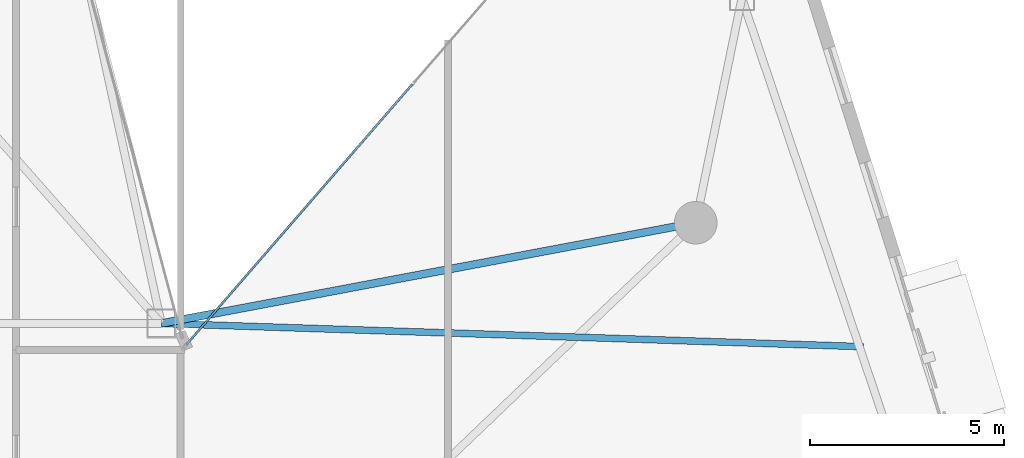
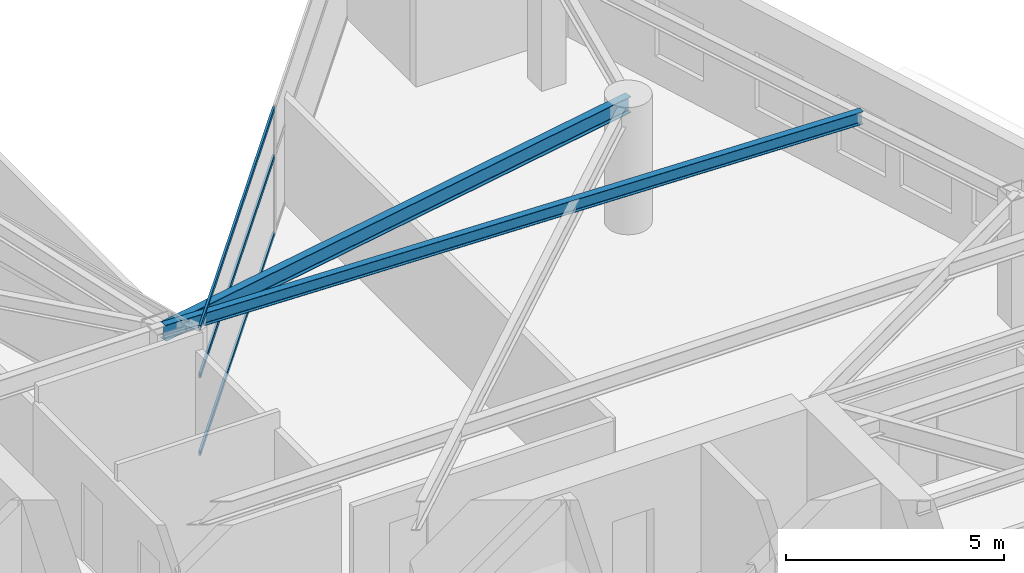
# One storey, part 12 of 29: 3 members, 2 beams, 1 element without a shape of its own.
"""IFC4 building model written with IfcOpenShell, lengths in metres."""

from ifc_helpers import new_model, si_unit, direction, frame, origin, origin_2d, place, context, subcontext, project, spatial, hollow_rectangle, i_section, extrude, material, layer, layer_set, material_profile, profile_set, type_object, element, aggregate, save


model = new_model("IFC4")

# Units and contexts
model_context = context("Model", 3, precision=1e-05, world=origin(), true_north=direction((0.0, 1.0)))
body_context = subcontext(model_context, "Body", "Model", "MODEL_VIEW")
ifc_project = project(units=[si_unit("LENGTHUNIT", "METRE"), si_unit("AREAUNIT", "SQUARE_METRE"), si_unit("VOLUMEUNIT", "CUBIC_METRE"), si_unit("PLANEANGLEUNIT", "RADIAN"), si_unit("MASSUNIT", "GRAM", prefix="KILO")], contexts=[model_context])

# Site, building, storey
site_placement = place(None, origin())
site = spatial("IfcSite", under=ifc_project, at=site_placement, CompositionType="ELEMENT")
building_placement = place(site_placement, origin())
building = spatial("IfcBuilding", under=site, at=building_placement, Name="Calvorn Quay Hotel", CompositionType="ELEMENT")
storey_placement = place(building_placement, frame((0.0, 0.0, 247.60009765625)))
storey = spatial("IfcBuildingStorey", under=building, at=storey_placement, Name="L61", CompositionType="ELEMENT", Elevation=247.60009765625)

# Beams
ifc_material_1 = material(Name="Steel Q355B", Category="steel")
ifc_material_profile_1 = material_profile(ifc_material_1, i_section(OverallWidth=0.175048828125, OverallDepth=0.35009765625, WebThickness=0.007080078125, FlangeThickness=0.010986328125, FilletRadius=0.013916015625, at=origin_2d()), Name="HN350x175x7x11")
ifc_profile_set_1 = profile_set([ifc_material_profile_1], Name="Steel Q355B")
beam_type_1 = type_object("IfcBeamType", Name="BM-JOIST-SEC", PredefinedType="JOIST", material=ifc_profile_set_1)
beam_1_placement = place(storey_placement, frame((21.0, 25.0, 3.364990234375), z_axis=(0.999452470599, -0.033087142721, 0.0), x_axis=(0.033087142721, 0.999452470599, 0.0)))
element("IfcBeam", 1, at=beam_1_placement, inside=storey, type_object=beam_type_1, Name="Beam BJ-L61-E3", PredefinedType="JOIST", context=body_context, shape_type="SweptSolid", body=[
    extrude(i_section(OverallWidth=0.175048828125, OverallDepth=0.35009765625, WebThickness=0.007080078125, FlangeThickness=0.010986328125, FilletRadius=0.013916015625, at=origin_2d()), origin(), (0.0, 0.0, 1.0), 18.136962890625),
])
ifc_material_2 = material(Name="Steel Q355B", Category="steel")
ifc_material_profile_2 = material_profile(ifc_material_2, i_section(OverallWidth=0.199951171875, OverallDepth=0.449951171875, WebThickness=0.009033203125, FlangeThickness=0.013916015625, FilletRadius=0.01611328125, at=origin_2d()), Name="HN450x200x9x14")
ifc_profile_set_2 = profile_set([ifc_material_profile_2], Name="Steel Q355B")
beam_type_2 = type_object("IfcBeamType", Name="BM-SPANDREL-Z3", PredefinedType="SPANDREL", material=ifc_profile_set_2)
beam_2_placement = place(storey_placement, frame((34.800048828125, 27.60009765625, 3.31494140625), z_axis=(-0.982709432406, -0.185154452988, 0.0), x_axis=(0.185154452988, -0.982709432406, 0.0)))
element("IfcBeam", 2, at=beam_2_placement, inside=storey, type_object=beam_type_2, Name="Beam BSP-L61-E4", PredefinedType="SPANDREL", context=body_context, shape_type="SweptSolid", body=[
    extrude(i_section(OverallWidth=0.199951171875, OverallDepth=0.449951171875, WebThickness=0.009033203125, FlangeThickness=0.013916015625, FilletRadius=0.01611328125, at=origin_2d()), origin(), (0.0, 0.0, 1.0), 14.04296875),
])

# Curtain wall, members
ifc_material_3 = material(Name="Champagne Bronze Anodised Aluminium and Low-E Glass", Category="aluminium")
ifc_layer = layer(ifc_material_3, 0.219970703125)
ifc_layer_set = layer_set([ifc_layer], Name="CW-SYS-Z4")
curtain_wall_type = type_object("IfcCurtainWallType", Name="CW-SYS-Z4", PredefinedType="NOTDEFINED", material=ifc_layer_set)
curtain_wall_placement = place(storey_placement, origin())
curtain_wall = element("IfcCurtainWall", 3, at=curtain_wall_placement, inside=storey, type_object=curtain_wall_type, Name="Inner Court Curtain Wall L61-NE1", PredefinedType="NOTDEFINED")
ifc_material_4 = material(Name="Champagne Bronze Anodised Aluminium 6063-T6", Category="aluminium")
ifc_material_profile_3 = material_profile(ifc_material_4, hollow_rectangle(XDim=0.054931640625, YDim=0.1298828125, WallThickness=0.003173828125, at=origin_2d()), Name="ALU-T130x55x3.2")
ifc_profile_set_3 = profile_set([ifc_material_profile_3], Name="Champagne Bronze Anodised Aluminium 6063-T6")
member_type = type_object("IfcMemberType", Name="CW-SYS-Z4-TRN", PredefinedType="USERDEFINED", material=ifc_profile_set_3)
member_1_placement = place(storey_placement, frame((27.480224609375, 31.17724609375, 0.02978515625), z_axis=(-0.65534550322, -0.755329247024, 0.0), x_axis=(0.755329247024, -0.65534550322, 0.0)))
member_1 = element("IfcMember", 4, at=member_1_placement, type_object=member_type, Name="CW-L61-NE1 transom 2.1", ObjectType="TRANSOM", PredefinedType="USERDEFINED", context=body_context, shape_type="SweptSolid", body=[
    extrude(hollow_rectangle(XDim=0.054931640625, YDim=0.1298828125, WallThickness=0.003173828125, at=origin_2d()), origin(), (0.0, 0.0, 1.0), 8.91259765625),
])
member_2_placement = place(storey_placement, frame((27.480224609375, 31.17724609375, 2.199951171875), z_axis=(-0.65534550322, -0.755329247024, 0.0), x_axis=(0.755329247024, -0.65534550322, 0.0)))
member_2 = element("IfcMember", 5, at=member_2_placement, type_object=member_type, Name="CW-L61-NE1 transom 2.2", ObjectType="TRANSOM", PredefinedType="USERDEFINED", context=body_context, shape_type="SweptSolid", body=[
    extrude(hollow_rectangle(XDim=0.054931640625, YDim=0.1298828125, WallThickness=0.003173828125, at=origin_2d()), origin(), (0.0, 0.0, 1.0), 8.91259765625),
])
member_3_placement = place(storey_placement, frame((27.480224609375, 31.17724609375, 3.52978515625), z_axis=(-0.65534550322, -0.755329247024, 0.0), x_axis=(0.755329247024, -0.65534550322, 0.0)))
member_3 = element("IfcMember", 6, at=member_3_placement, type_object=member_type, Name="CW-L61-NE1 transom 2.3", ObjectType="TRANSOM", PredefinedType="USERDEFINED", context=body_context, shape_type="SweptSolid", body=[
    extrude(hollow_rectangle(XDim=0.054931640625, YDim=0.1298828125, WallThickness=0.003173828125, at=origin_2d()), origin(), (0.0, 0.0, 1.0), 8.91259765625),
])
aggregate(curtain_wall, [member_1, member_2, member_3])

save(model, "model.ifc")
